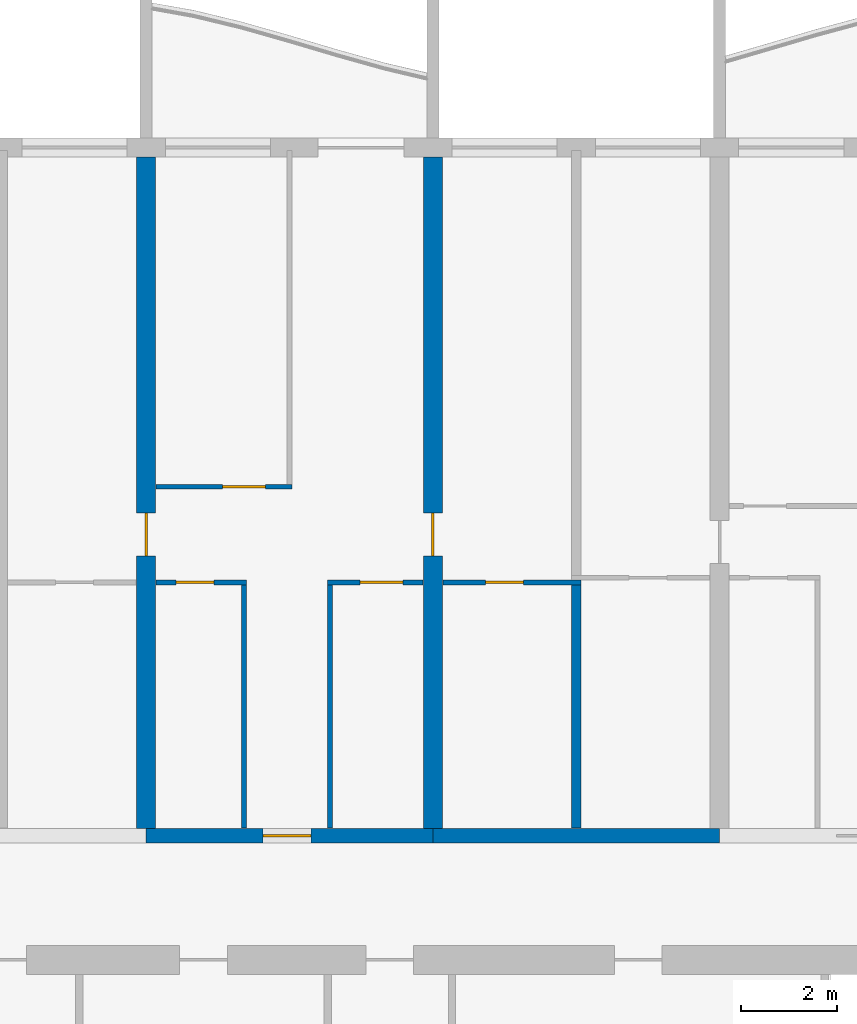
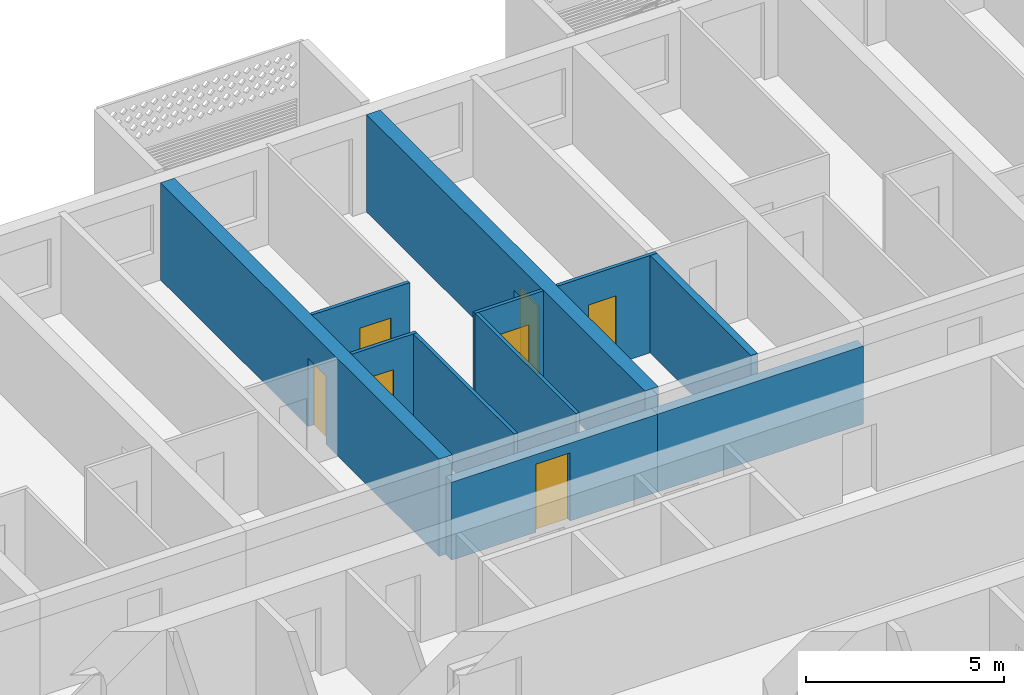
# One storey, part 12 of 38: 11 walls, 7 doors, 7 openings.
"""IFC4 building model written with IfcOpenShell, lengths in metres."""

from ifc_helpers import new_model, si_unit, direction, frame, frame_2d, origin, place, context, subcontext, project, spatial, rectangle, extrude, material, layer, layer_set, type_object, element, fill, save


model = new_model("IFC4")

# Units and contexts
model_context = context("Model", 3, precision=1e-05, world=origin(), true_north=direction((0.0, 1.0)))
body_context = subcontext(model_context, "Body", "Model", "MODEL_VIEW")
ifc_project = project(units=[si_unit("LENGTHUNIT", "METRE"), si_unit("AREAUNIT", "SQUARE_METRE"), si_unit("VOLUMEUNIT", "CUBIC_METRE"), si_unit("PLANEANGLEUNIT", "RADIAN"), si_unit("MASSUNIT", "GRAM", prefix="KILO")], contexts=[model_context])

# Site, building, storey
site_placement = place(None, origin())
site = spatial("IfcSite", under=ifc_project, at=site_placement, CompositionType="ELEMENT")
building_placement = place(site_placement, origin())
building = spatial("IfcBuilding", under=site, at=building_placement, Name="Poui Terraces", CompositionType="ELEMENT")
storey_placement = place(building_placement, frame((0.0, 0.0, 49.800048828125)))
storey = spatial("IfcBuildingStorey", under=building, at=storey_placement, Name="L13", CompositionType="ELEMENT", Elevation=49.800048828125)

# Wall, opening, door
ifc_material_1 = material(Name="Concrete 80 MPa", Category="concrete")
ifc_layer_1 = layer(ifc_material_1, 0.300048828125)
ifc_layer_set_1 = layer_set([ifc_layer_1], Name="Concrete 80 MPa")
wall_type_1 = type_object("IfcWallType", Name="CORRIDOR WALL 300 80MPa", PredefinedType="SHEAR", material=ifc_layer_set_1)
wall_1_placement = place(storey_placement, frame((54.0, 30.39990234375, 0.0), z_axis=(0.0, 0.0, 1.0), x_axis=(1.0, 0.0, 0.0)))
wall_1 = element("IfcWall", 1, at=wall_1_placement, inside=storey, type_object=wall_type_1, Name="CORRIDOR WALL LINE E BAY 10", PredefinedType="SHEAR", context=body_context, shape_type="SweptSolid", body=[
    extrude(rectangle(XDim=6.0, YDim=0.300048828125, at=frame_2d((3.0, 0.0))), origin(), (0.0, 0.0, 1.0), 2.39990234375),
])
opening_1_placement = place(wall_1_placement, frame((2.449951171875, 0.0, 0.0)))
opening_1 = element("IfcOpeningElement", 2, at=opening_1_placement, cuts=wall_1, Name="Opening FD30S", PredefinedType="OPENING", context=body_context, shape_type="SweptSolid", body=[
    extrude(rectangle(XDim=1.0, YDim=2.10009765625, at=frame_2d((0.5, 1.050048828125))), frame((0.0, 0.16015625, 0.0), z_axis=(0.0, -1.0, 0.0), x_axis=(1.0, 0.0, 0.0)), (0.0, 0.0, 1.0), 0.320068359375),
])
ifc_material_2 = material(Name="Steel fire door", Category="steel")
door_type_1 = type_object("IfcDoorType", Name="FLAT ENTRANCE DOOR 1000 X 2100", OperationType="NOTDEFINED", PredefinedType="DOOR", material=ifc_material_2)
door_1_placement = place(opening_1_placement, origin())
door_1 = element("IfcDoor", 3, at=door_1_placement, inside=storey, type_object=door_type_1, Name="FLAT ENTRANCE DOOR 066", OperationType="SINGLE_SWING_LEFT", OverallHeight=2.10009765625, OverallWidth=1.0, PredefinedType="DOOR", context=body_context, shape_type="SweptSolid", body=[
    extrude(rectangle(XDim=1.0, YDim=2.10009765625, at=frame_2d((0.5, 1.050048828125))), frame((0.0, 0.02490234375, 0.0), z_axis=(0.0, -1.0, 0.0), x_axis=(1.0, 0.0, 0.0)), (0.0, 0.0, 1.0), 0.050048828125),
])
fill(opening_1, door_1)

# Wall
wall_2_placement = place(storey_placement, frame((60.0, 30.39990234375, 0.0), z_axis=(0.0, 0.0, 1.0), x_axis=(1.0, 0.0, 0.0)))
element("IfcWall", 4, at=wall_2_placement, inside=storey, type_object=wall_type_1, Name="CORRIDOR WALL LINE E BAY 11", PredefinedType="SHEAR", context=body_context, shape_type="SweptSolid", body=[
    extrude(rectangle(XDim=6.0, YDim=0.300048828125, at=frame_2d((3.0, 0.0))), origin(), (0.0, 0.0, 1.0), 2.39990234375),
])

# Wall, opening, door
ifc_layer_2 = layer(ifc_material_1, 0.39990234375)
ifc_layer_set_2 = layer_set([ifc_layer_2], Name="Concrete 80 MPa")
wall_type_2 = type_object("IfcWallType", Name="CROSS WALL 400 80MPa", PredefinedType="SHEAR", material=ifc_layer_set_2)
wall_3_placement = place(storey_placement, frame((54.0, 30.550048828125, 0.0), z_axis=(0.0, 0.0, 1.0), x_axis=(0.0, 1.0, 0.0)))
wall_3 = element("IfcWall", 5, at=wall_3_placement, inside=storey, type_object=wall_type_2, Name="CROSS WALL LINE 10 NORTH", PredefinedType="SHEAR", context=body_context, shape_type="SweptSolid", body=[
    extrude(rectangle(XDim=14.050048828125, YDim=0.39990234375, at=frame_2d((7.02490234375, 0.0))), origin(), (0.0, 0.0, 1.0), 3.0),
])
opening_2_placement = place(wall_3_placement, frame((5.699951171875, 0.0, 0.0)))
opening_2 = element("IfcOpeningElement", 6, at=opening_2_placement, cuts=wall_3, Name="Opening D90", PredefinedType="OPENING", context=body_context, shape_type="SweptSolid", body=[
    extrude(rectangle(XDim=0.89990234375, YDim=2.10009765625, at=frame_2d((0.449951171875, 1.050048828125))), frame((0.0, 0.2099609375, 0.0), z_axis=(0.0, -1.0, 0.0), x_axis=(1.0, 0.0, 0.0)), (0.0, 0.0, 1.0), 0.419921875),
])
ifc_material_3 = material(Name="Solid core timber door", Category="wood")
door_type_2 = type_object("IfcDoorType", Name="INTERNAL DOOR 900 X 2100", OperationType="NOTDEFINED", PredefinedType="DOOR", material=ifc_material_3)
door_2_placement = place(opening_2_placement, origin())
door_2 = element("IfcDoor", 7, at=door_2_placement, inside=storey, type_object=door_type_2, Name="INTERNAL DOOR 063", OperationType="SINGLE_SWING_LEFT", OverallHeight=2.10009765625, OverallWidth=0.89990234375, PredefinedType="DOOR", context=body_context, shape_type="SweptSolid", body=[
    extrude(rectangle(XDim=0.89990234375, YDim=2.10009765625, at=frame_2d((0.449951171875, 1.050048828125))), frame((0.0, 0.02490234375, 0.0), z_axis=(0.0, -1.0, 0.0), x_axis=(1.0, 0.0, 0.0)), (0.0, 0.0, 1.0), 0.050048828125),
])
fill(opening_2, door_2)

wall_4_placement = place(storey_placement, frame((60.0, 30.550048828125, 0.0), z_axis=(0.0, 0.0, 1.0), x_axis=(0.0, 1.0, 0.0)))
wall_4 = element("IfcWall", 8, at=wall_4_placement, inside=storey, type_object=wall_type_2, Name="CROSS WALL LINE 11 NORTH", PredefinedType="SHEAR", context=body_context, shape_type="SweptSolid", body=[
    extrude(rectangle(XDim=14.050048828125, YDim=0.39990234375, at=frame_2d((7.02490234375, 0.0))), origin(), (0.0, 0.0, 1.0), 3.0),
])
opening_3_placement = place(wall_4_placement, frame((5.699951171875, 0.0, 0.0)))
opening_3 = element("IfcOpeningElement", 9, at=opening_3_placement, cuts=wall_4, Name="Opening D90", PredefinedType="OPENING", context=body_context, shape_type="SweptSolid", body=[
    extrude(rectangle(XDim=0.89990234375, YDim=2.10009765625, at=frame_2d((0.449951171875, 1.050048828125))), frame((0.0, 0.2099609375, 0.0), z_axis=(0.0, -1.0, 0.0), x_axis=(1.0, 0.0, 0.0)), (0.0, 0.0, 1.0), 0.419921875),
])
door_3_placement = place(opening_3_placement, frame((0.89990234375, 0.0, 0.0), z_axis=(0.0, 0.0, 1.0), x_axis=(-1.0, 0.0, 0.0)))
door_3 = element("IfcDoor", 10, at=door_3_placement, inside=storey, type_object=door_type_2, Name="INTERNAL DOOR 068", OperationType="SINGLE_SWING_RIGHT", OverallHeight=2.10009765625, OverallWidth=0.89990234375, PredefinedType="DOOR", context=body_context, shape_type="SweptSolid", body=[
    extrude(rectangle(XDim=0.89990234375, YDim=2.10009765625, at=frame_2d((0.449951171875, 1.050048828125))), frame((0.0, 0.02490234375, 0.0), z_axis=(0.0, -1.0, 0.0), x_axis=(1.0, 0.0, 0.0)), (0.0, 0.0, 1.0), 0.050048828125),
])
fill(opening_3, door_3)

ifc_material_4 = material(Name="Plasterboard partition")
ifc_layer_3 = layer(ifc_material_4, 0.10009765625)
ifc_layer_set_3 = layer_set([ifc_layer_3], Name="Plasterboard partition")
wall_type_3 = type_object("IfcWallType", Name="FLAT PARTITION 100", PredefinedType="PARTITIONING", material=ifc_layer_set_3)
wall_5_placement = place(storey_placement, frame((54.2099609375, 35.699951171875, 0.0), z_axis=(0.0, 0.0, 1.0), x_axis=(1.0, 0.0, 0.0)))
wall_5 = element("IfcWall", 11, at=wall_5_placement, inside=storey, type_object=wall_type_3, Name="FLAT PARTITION 100", PredefinedType="PARTITIONING", context=body_context, shape_type="SweptSolid", body=[
    extrude(rectangle(XDim=1.89013671875, YDim=0.10009765625, at=frame_2d((0.945068359375, 0.0))), origin(), (0.0, 0.0, 1.0), 3.0),
])
opening_4_placement = place(wall_5_placement, frame((0.4150390625, 0.0, 0.0)))
opening_4 = element("IfcOpeningElement", 12, at=opening_4_placement, cuts=wall_5, Name="Opening D80", PredefinedType="OPENING", context=body_context, shape_type="SweptSolid", body=[
    extrude(rectangle(XDim=0.800048828125, YDim=2.10009765625, at=frame_2d((0.39990234375, 1.050048828125))), frame((0.0, 0.06005859375, 0.0), z_axis=(0.0, -1.0, 0.0), x_axis=(1.0, 0.0, 0.0)), (0.0, 0.0, 1.0), 0.1201171875),
])
door_type_3 = type_object("IfcDoorType", Name="BATHROOM, LAUNDRY AND STORE DOOR 800 X 2100", OperationType="NOTDEFINED", PredefinedType="DOOR", material=ifc_material_3)
door_4_placement = place(opening_4_placement, frame((0.800048828125, 0.0, 0.0), z_axis=(0.0, 0.0, 1.0), x_axis=(-1.0, 0.0, 0.0)))
door_4 = element("IfcDoor", 13, at=door_4_placement, inside=storey, type_object=door_type_3, Name="BATHROOM, LAUNDRY AND STORE DOOR 064", OperationType="SINGLE_SWING_LEFT", OverallHeight=2.10009765625, OverallWidth=0.800048828125, PredefinedType="DOOR", context=body_context, shape_type="SweptSolid", body=[
    extrude(rectangle(XDim=0.800048828125, YDim=2.10009765625, at=frame_2d((0.39990234375, 1.050048828125))), frame((0.0, 0.02490234375, 0.0), z_axis=(0.0, -1.0, 0.0), x_axis=(1.0, 0.0, 0.0)), (0.0, 0.0, 1.0), 0.050048828125),
])
fill(opening_4, door_4)

wall_6_placement = place(storey_placement, frame((57.800048828125, 35.699951171875, 0.0), z_axis=(0.0, 0.0, 1.0), x_axis=(1.0, 0.0, 0.0)))
wall_6 = element("IfcWall", 14, at=wall_6_placement, inside=storey, type_object=wall_type_3, Name="FLAT PARTITION 100", PredefinedType="PARTITIONING", context=body_context, shape_type="SweptSolid", body=[
    extrude(rectangle(XDim=1.989990234375, YDim=0.10009765625, at=frame_2d((0.9951171875, 0.0))), origin(), (0.0, 0.0, 1.0), 3.0),
])
opening_5_placement = place(wall_6_placement, frame((0.675048828125, 0.0, 0.0)))
opening_5 = element("IfcOpeningElement", 15, at=opening_5_placement, cuts=wall_6, Name="Opening D90", PredefinedType="OPENING", context=body_context, shape_type="SweptSolid", body=[
    extrude(rectangle(XDim=0.89990234375, YDim=2.10009765625, at=frame_2d((0.449951171875, 1.050048828125))), frame((0.0, 0.06005859375, 0.0), z_axis=(0.0, -1.0, 0.0), x_axis=(1.0, 0.0, 0.0)), (0.0, 0.0, 1.0), 0.1201171875),
])
door_5_placement = place(opening_5_placement, frame((0.89990234375, 0.0, 0.0), z_axis=(0.0, 0.0, 1.0), x_axis=(-1.0, 0.0, 0.0)))
door_5 = element("IfcDoor", 16, at=door_5_placement, inside=storey, type_object=door_type_2, Name="INTERNAL DOOR 067", OperationType="SINGLE_SWING_RIGHT", OverallHeight=2.10009765625, OverallWidth=0.89990234375, PredefinedType="DOOR", context=body_context, shape_type="SweptSolid", body=[
    extrude(rectangle(XDim=0.89990234375, YDim=2.10009765625, at=frame_2d((0.449951171875, 1.050048828125))), frame((0.0, 0.02490234375, 0.0), z_axis=(0.0, -1.0, 0.0), x_axis=(1.0, 0.0, 0.0)), (0.0, 0.0, 1.0), 0.050048828125),
])
fill(opening_5, door_5)

wall_7_placement = place(storey_placement, frame((60.2099609375, 35.699951171875, 0.0), z_axis=(0.0, 0.0, 1.0), x_axis=(1.0, 0.0, 0.0)))
wall_7 = element("IfcWall", 17, at=wall_7_placement, inside=storey, type_object=wall_type_3, Name="FLAT PARTITION 100", PredefinedType="PARTITIONING", context=body_context, shape_type="SweptSolid", body=[
    extrude(rectangle(XDim=2.89013671875, YDim=0.10009765625, at=frame_2d((1.445068359375, 0.0))), origin(), (0.0, 0.0, 1.0), 3.0),
])
opening_6_placement = place(wall_7_placement, frame((0.889892578125, 0.0, 0.0)))
opening_6 = element("IfcOpeningElement", 18, at=opening_6_placement, cuts=wall_7, Name="Opening D80", PredefinedType="OPENING", context=body_context, shape_type="SweptSolid", body=[
    extrude(rectangle(XDim=0.800048828125, YDim=2.10009765625, at=frame_2d((0.39990234375, 1.050048828125))), frame((0.0, 0.06005859375, 0.0), z_axis=(0.0, -1.0, 0.0), x_axis=(1.0, 0.0, 0.0)), (0.0, 0.0, 1.0), 0.1201171875),
])
door_6_placement = place(opening_6_placement, frame((0.800048828125, 0.0, 0.0), z_axis=(0.0, 0.0, 1.0), x_axis=(-1.0, 0.0, 0.0)))
door_6 = element("IfcDoor", 19, at=door_6_placement, inside=storey, type_object=door_type_3, Name="BATHROOM, LAUNDRY AND STORE DOOR 062", OperationType="SINGLE_SWING_LEFT", OverallHeight=2.10009765625, OverallWidth=0.800048828125, PredefinedType="DOOR", context=body_context, shape_type="SweptSolid", body=[
    extrude(rectangle(XDim=0.800048828125, YDim=2.10009765625, at=frame_2d((0.39990234375, 1.050048828125))), frame((0.0, 0.02490234375, 0.0), z_axis=(0.0, -1.0, 0.0), x_axis=(1.0, 0.0, 0.0)), (0.0, 0.0, 1.0), 0.050048828125),
])
fill(opening_6, door_6)

wall_8_placement = place(storey_placement, frame((54.2099609375, 37.699951171875, 0.0), z_axis=(0.0, 0.0, 1.0), x_axis=(1.0, 0.0, 0.0)))
wall_8 = element("IfcWall", 20, at=wall_8_placement, inside=storey, type_object=wall_type_3, Name="FLAT PARTITION 100", PredefinedType="PARTITIONING", context=body_context, shape_type="SweptSolid", body=[
    extrude(rectangle(XDim=2.840087890625, YDim=0.10009765625, at=frame_2d((1.419921875, 0.0))), origin(), (0.0, 0.0, 1.0), 3.0),
])
opening_7_placement = place(wall_8_placement, frame((1.389892578125, 0.0, 0.0)))
opening_7 = element("IfcOpeningElement", 21, at=opening_7_placement, cuts=wall_8, Name="Opening D90", PredefinedType="OPENING", context=body_context, shape_type="SweptSolid", body=[
    extrude(rectangle(XDim=0.89990234375, YDim=2.10009765625, at=frame_2d((0.449951171875, 1.050048828125))), frame((0.0, 0.06005859375, 0.0), z_axis=(0.0, -1.0, 0.0), x_axis=(1.0, 0.0, 0.0)), (0.0, 0.0, 1.0), 0.1201171875),
])
door_7_placement = place(opening_7_placement, frame((0.89990234375, 0.0, 0.0), z_axis=(0.0, 0.0, 1.0), x_axis=(-1.0, 0.0, 0.0)))
door_7 = element("IfcDoor", 22, at=door_7_placement, inside=storey, type_object=door_type_2, Name="INTERNAL DOOR 065", OperationType="SINGLE_SWING_RIGHT", OverallHeight=2.10009765625, OverallWidth=0.89990234375, PredefinedType="DOOR", context=body_context, shape_type="SweptSolid", body=[
    extrude(rectangle(XDim=0.89990234375, YDim=2.10009765625, at=frame_2d((0.449951171875, 1.050048828125))), frame((0.0, 0.02490234375, 0.0), z_axis=(0.0, -1.0, 0.0), x_axis=(1.0, 0.0, 0.0)), (0.0, 0.0, 1.0), 0.050048828125),
])
fill(opening_7, door_7)

# Walls
for number, where, z_axis, x_axis, name in (
    (23, (56.050048828125, 30.56005859375, 0.0), (0.0, 0.0, 1.0), (0.0, 1.0, 0.0), "FLAT PARTITION 100"),
    (24, (57.85009765625, 30.56005859375, 0.0), (0.0, 0.0, 1.0), (0.0, 1.0, 0.0), "FLAT PARTITION 100"),
):
    element("IfcWall", number, at=place(storey_placement, frame(where, z_axis=z_axis, x_axis=x_axis)), inside=storey, type_object=wall_type_3, Name=name, PredefinedType="PARTITIONING", context=body_context, shape_type="SweptSolid", body=[
        extrude(rectangle(XDim=5.08984375, YDim=0.10009765625, at=frame_2d((2.544921875, 0.0))), origin(), (0.0, 0.0, 1.0), 3.0),
    ])
ifc_material_5 = material(Name="Fire-rated masonry wall", Category="masonry")
ifc_layer_4 = layer(ifc_material_5, 0.199951171875)
ifc_layer_set_4 = layer_set([ifc_layer_4], Name="Fire-rated masonry wall")
wall_type_4 = type_object("IfcWallType", Name="FLAT PARTY WALL 200", PredefinedType="PARTITIONING", material=ifc_layer_set_4)
wall_9_placement = place(storey_placement, frame((63.0, 30.56005859375, 0.0), z_axis=(0.0, 0.0, 1.0), x_axis=(0.0, 1.0, 0.0)))
element("IfcWall", 25, at=wall_9_placement, inside=storey, type_object=wall_type_4, Name="FLAT PARTY WALL 200", PredefinedType="PARTITIONING", context=body_context, shape_type="SweptSolid", body=[
    extrude(rectangle(XDim=5.08984375, YDim=0.199951171875, at=frame_2d((2.544921875, 0.0))), origin(), (0.0, 0.0, 1.0), 3.0),
])

save(model, "model.ifc")
